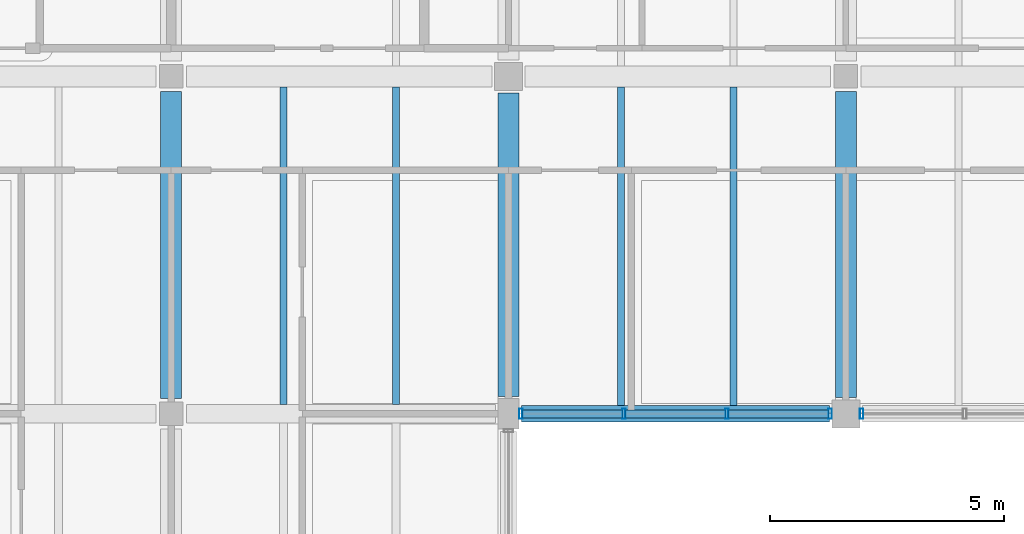
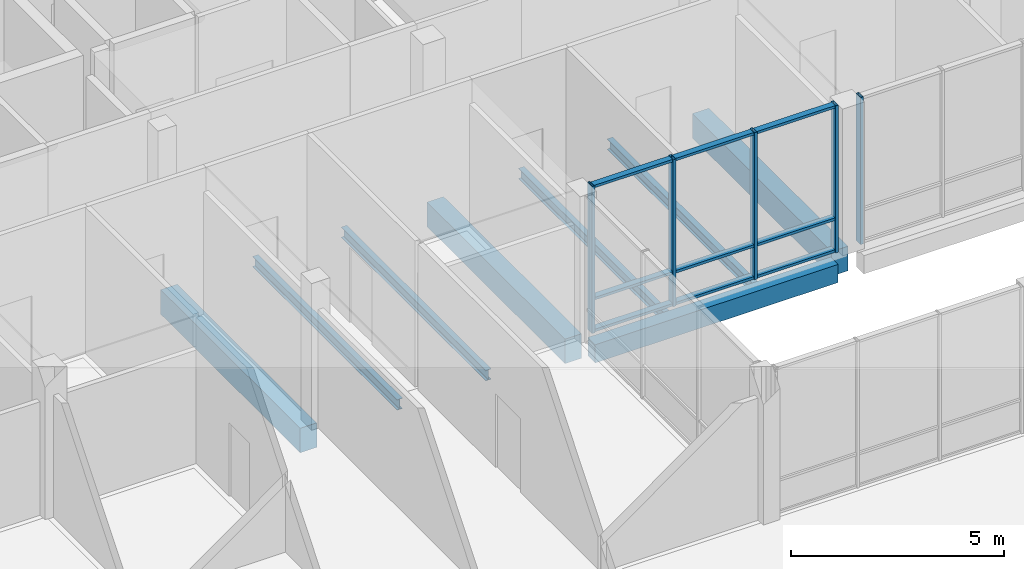
# One storey, part 32 of 104: 14 members, 8 beams, 2 elements without a shape of their own.
"""IFC4 building model written with IfcOpenShell, lengths in metres."""

from ifc_helpers import new_model, si_unit, direction, frame, origin, origin_2d, place, context, subcontext, project, spatial, rectangle, hollow_rectangle, i_section, extrude, material, material_profile, profile_set, type_object, element, aggregate, save


model = new_model("IFC4")

# Units and contexts
model_context = context("Model", 3, precision=1e-05, world=origin(), true_north=direction((0.0, 1.0)))
body_context = subcontext(model_context, "Body", "Model", "MODEL_VIEW")
ifc_project = project(units=[si_unit("LENGTHUNIT", "METRE"), si_unit("AREAUNIT", "SQUARE_METRE"), si_unit("VOLUMEUNIT", "CUBIC_METRE"), si_unit("PLANEANGLEUNIT", "RADIAN"), si_unit("MASSUNIT", "GRAM", prefix="KILO")], contexts=[model_context])

# Site, building, storey
site_placement = place(None, origin())
site = spatial("IfcSite", under=ifc_project, at=site_placement, CompositionType="ELEMENT")
building_placement = place(site_placement, origin())
building = spatial("IfcBuilding", under=site, at=building_placement, Name="Hawrajan Terrace Health Centre", CompositionType="ELEMENT")
storey_placement = place(building_placement, origin())
storey = spatial("IfcBuildingStorey", under=building, at=storey_placement, Name="L00", CompositionType="ELEMENT", Elevation=0.0)

# Curtain wall, members
ifc_material_1 = material(Name="Anodized bronze aluminium and low-E solar glazing", Category="aluminium")
curtain_wall_type_1 = type_object("IfcCurtainWallType", Name="CW_CourtNS_SeriesC2", PredefinedType="USERDEFINED", material=ifc_material_1)
curtain_wall_1_placement = place(storey_placement, origin())
curtain_wall_1 = element("IfcCurtainWall", 1, at=curtain_wall_1_placement, inside=storey, type_object=curtain_wall_type_1, Name="Curtain wall CW-L00-008", ObjectType="UNITISED CURTAIN WALL", PredefinedType="USERDEFINED")
ifc_material_2 = material(Name="Anodized bronze aluminium 6063-T6", Category="aluminium")
ifc_material_profile_1 = material_profile(ifc_material_2, hollow_rectangle(XDim=0.074951171875, YDim=0.219970703125, WallThickness=0.0048828125, at=origin_2d()), Name="CW MUL 75x220")
ifc_profile_set_1 = profile_set([ifc_material_profile_1], Name="Anodized bronze aluminium 6063-T6")
member_type_1 = type_object("IfcMemberType", Name="CWMullion_75x220", PredefinedType="MULLION", material=ifc_profile_set_1)
member_1_placement = place(storey_placement, frame((26.46240234375, 45.39990234375, -0.0048828125), z_axis=(0.0, 0.0, 1.0), x_axis=(1.0, 0.0, 0.0)))
member_1 = element("IfcMember", 2, at=member_1_placement, type_object=member_type_1, Name="Mullion CW-L00-008-M1", PredefinedType="MULLION", context=body_context, shape_type="SweptSolid", body=[
    extrude(hollow_rectangle(XDim=0.074951171875, YDim=0.219970703125, WallThickness=0.0048828125, at=origin_2d()), origin(), (0.0, 0.0, 1.0), 4.2099609375),
])
member_2_placement = place(storey_placement, frame((28.66259765625, 45.39990234375, -0.0048828125), z_axis=(0.0, 0.0, 1.0), x_axis=(1.0, 0.0, 0.0)))
member_2 = element("IfcMember", 3, at=member_2_placement, type_object=member_type_1, Name="Mullion CW-L00-008-M2", PredefinedType="MULLION", context=body_context, shape_type="SweptSolid", body=[
    extrude(hollow_rectangle(XDim=0.074951171875, YDim=0.219970703125, WallThickness=0.0048828125, at=origin_2d()), origin(), (0.0, 0.0, 1.0), 4.2099609375),
])
member_3_placement = place(storey_placement, frame((30.862548828125, 45.39990234375, -0.0048828125), z_axis=(0.0, 0.0, 1.0), x_axis=(1.0, 0.0, 0.0)))
member_3 = element("IfcMember", 4, at=member_3_placement, type_object=member_type_1, Name="Mullion CW-L00-008-M3", PredefinedType="MULLION", context=body_context, shape_type="SweptSolid", body=[
    extrude(hollow_rectangle(XDim=0.074951171875, YDim=0.219970703125, WallThickness=0.0048828125, at=origin_2d()), origin(), (0.0, 0.0, 1.0), 4.2099609375),
])
member_4_placement = place(storey_placement, frame((33.0625, 45.39990234375, -0.0048828125), z_axis=(0.0, 0.0, 1.0), x_axis=(1.0, 0.0, 0.0)))
member_4 = element("IfcMember", 5, at=member_4_placement, type_object=member_type_1, Name="Mullion CW-L00-008-M4", PredefinedType="MULLION", context=body_context, shape_type="SweptSolid", body=[
    extrude(hollow_rectangle(XDim=0.074951171875, YDim=0.219970703125, WallThickness=0.0048828125, at=origin_2d()), origin(), (0.0, 0.0, 1.0), 4.2099609375),
])

# Curtain wall, member
curtain_wall_type_2 = type_object("IfcCurtainWallType", Name="CW_Garden_SeriesF1", PredefinedType="USERDEFINED", material=ifc_material_1)
curtain_wall_2_placement = place(storey_placement, origin())
curtain_wall_2 = element("IfcCurtainWall", 6, at=curtain_wall_2_placement, inside=storey, type_object=curtain_wall_type_2, Name="Curtain wall CW-L00-014", ObjectType="UNITISED CURTAIN WALL", PredefinedType="USERDEFINED")
member_5_placement = place(storey_placement, frame((33.737548828125, 45.39990234375, -0.0048828125), z_axis=(0.0, 0.0, 1.0), x_axis=(1.0, 0.0, 0.0)))
member_5 = element("IfcMember", 7, at=member_5_placement, type_object=member_type_1, Name="Mullion CW-L00-014-M1", PredefinedType="MULLION", context=body_context, shape_type="SweptSolid", body=[
    extrude(hollow_rectangle(XDim=0.074951171875, YDim=0.219970703125, WallThickness=0.0048828125, at=origin_2d()), origin(), (0.0, 0.0, 1.0), 4.2099609375),
])
aggregate(curtain_wall_2, [member_5])

# Member
ifc_material_profile_2 = material_profile(ifc_material_2, hollow_rectangle(XDim=0.074951171875, YDim=0.169921875, WallThickness=0.00439453125, at=origin_2d()), Name="CW TRN 75x170")
ifc_profile_set_2 = profile_set([ifc_material_profile_2], Name="Anodized bronze aluminium 6063-T6")
member_type_2 = type_object("IfcMemberType", Name="CWTransom_75x170", PredefinedType="USERDEFINED", material=ifc_profile_set_2)
member_6_placement = place(storey_placement, frame((26.493896484375, 45.39990234375, 0.03759765625), z_axis=(1.0, 0.0, 0.0), x_axis=(0.0, 0.0, 1.0)))
member_6 = element("IfcMember", 8, at=member_6_placement, type_object=member_type_2, Name="Transom CW-L00-008-T1-1", ObjectType="TRANSOM", PredefinedType="USERDEFINED", context=body_context, shape_type="SweptSolid", body=[
    extrude(hollow_rectangle(XDim=0.074951171875, YDim=0.169921875, WallThickness=0.00439453125, at=origin_2d()), origin(), (0.0, 0.0, 1.0), 2.13720703125),
])

member_7_placement = place(storey_placement, frame((26.493896484375, 45.39990234375, 0.949951171875), z_axis=(1.0, 0.0, 0.0), x_axis=(0.0, 0.0, 1.0)))
member_7 = element("IfcMember", 9, at=member_7_placement, type_object=member_type_2, Name="Transom CW-L00-008-T1-2", ObjectType="TRANSOM", PredefinedType="USERDEFINED", context=body_context, shape_type="SweptSolid", body=[
    extrude(hollow_rectangle(XDim=0.074951171875, YDim=0.169921875, WallThickness=0.00439453125, at=origin_2d()), origin(), (0.0, 0.0, 1.0), 2.13720703125),
])

member_8_placement = place(storey_placement, frame((26.493896484375, 45.39990234375, 4.16259765625), z_axis=(1.0, 0.0, 0.0), x_axis=(0.0, 0.0, 1.0)))
member_8 = element("IfcMember", 10, at=member_8_placement, type_object=member_type_2, Name="Transom CW-L00-008-T1-3", ObjectType="TRANSOM", PredefinedType="USERDEFINED", context=body_context, shape_type="SweptSolid", body=[
    extrude(hollow_rectangle(XDim=0.074951171875, YDim=0.169921875, WallThickness=0.00439453125, at=origin_2d()), origin(), (0.0, 0.0, 1.0), 2.13720703125),
])

member_9_placement = place(storey_placement, frame((28.694091796875, 45.39990234375, 0.03759765625), z_axis=(1.0, 0.0, 0.0), x_axis=(0.0, 0.0, 1.0)))
member_9 = element("IfcMember", 11, at=member_9_placement, type_object=member_type_2, Name="Transom CW-L00-008-T2-1", ObjectType="TRANSOM", PredefinedType="USERDEFINED", context=body_context, shape_type="SweptSolid", body=[
    extrude(hollow_rectangle(XDim=0.074951171875, YDim=0.169921875, WallThickness=0.00439453125, at=origin_2d()), origin(), (0.0, 0.0, 1.0), 2.136962890625),
])

member_10_placement = place(storey_placement, frame((28.694091796875, 45.39990234375, 0.949951171875), z_axis=(1.0, 0.0, 0.0), x_axis=(0.0, 0.0, 1.0)))
member_10 = element("IfcMember", 12, at=member_10_placement, type_object=member_type_2, Name="Transom CW-L00-008-T2-2", ObjectType="TRANSOM", PredefinedType="USERDEFINED", context=body_context, shape_type="SweptSolid", body=[
    extrude(hollow_rectangle(XDim=0.074951171875, YDim=0.169921875, WallThickness=0.00439453125, at=origin_2d()), origin(), (0.0, 0.0, 1.0), 2.136962890625),
])

member_11_placement = place(storey_placement, frame((28.694091796875, 45.39990234375, 4.16259765625), z_axis=(1.0, 0.0, 0.0), x_axis=(0.0, 0.0, 1.0)))
member_11 = element("IfcMember", 13, at=member_11_placement, type_object=member_type_2, Name="Transom CW-L00-008-T2-3", ObjectType="TRANSOM", PredefinedType="USERDEFINED", context=body_context, shape_type="SweptSolid", body=[
    extrude(hollow_rectangle(XDim=0.074951171875, YDim=0.169921875, WallThickness=0.00439453125, at=origin_2d()), origin(), (0.0, 0.0, 1.0), 2.136962890625),
])

member_12_placement = place(storey_placement, frame((30.89404296875, 45.39990234375, 0.03759765625), z_axis=(1.0, 0.0, 0.0), x_axis=(0.0, 0.0, 1.0)))
member_12 = element("IfcMember", 14, at=member_12_placement, type_object=member_type_2, Name="Transom CW-L00-008-T3-1", ObjectType="TRANSOM", PredefinedType="USERDEFINED", context=body_context, shape_type="SweptSolid", body=[
    extrude(hollow_rectangle(XDim=0.074951171875, YDim=0.169921875, WallThickness=0.00439453125, at=origin_2d()), origin(), (0.0, 0.0, 1.0), 2.136962890625),
])

member_13_placement = place(storey_placement, frame((30.89404296875, 45.39990234375, 0.949951171875), z_axis=(1.0, 0.0, 0.0), x_axis=(0.0, 0.0, 1.0)))
member_13 = element("IfcMember", 15, at=member_13_placement, type_object=member_type_2, Name="Transom CW-L00-008-T3-2", ObjectType="TRANSOM", PredefinedType="USERDEFINED", context=body_context, shape_type="SweptSolid", body=[
    extrude(hollow_rectangle(XDim=0.074951171875, YDim=0.169921875, WallThickness=0.00439453125, at=origin_2d()), origin(), (0.0, 0.0, 1.0), 2.136962890625),
])

member_14_placement = place(storey_placement, frame((30.89404296875, 45.39990234375, 4.16259765625), z_axis=(1.0, 0.0, 0.0), x_axis=(0.0, 0.0, 1.0)))
member_14 = element("IfcMember", 16, at=member_14_placement, type_object=member_type_2, Name="Transom CW-L00-008-T3-3", ObjectType="TRANSOM", PredefinedType="USERDEFINED", context=body_context, shape_type="SweptSolid", body=[
    extrude(hollow_rectangle(XDim=0.074951171875, YDim=0.169921875, WallThickness=0.00439453125, at=origin_2d()), origin(), (0.0, 0.0, 1.0), 2.136962890625),
])

aggregate(curtain_wall_1, [member_1, member_2, member_3, member_4, member_6, member_7, member_8, member_9, member_10, member_11, member_12, member_13, member_14])

# Beams
ifc_material_3 = material(Name="Concrete C40/50", Category="concrete")
ifc_material_profile_3 = material_profile(ifc_material_3, rectangle(XDim=0.449951171875, YDim=0.699951171875, at=origin_2d()), Name="RC BM 450x700")
ifc_profile_set_3 = profile_set([ifc_material_profile_3], Name="Concrete C40/50")
beam_type_1 = type_object("IfcBeamType", Name="RCGirder_450x700", PredefinedType="BEAM", material=ifc_profile_set_3)
beam_1_placement = place(storey_placement, frame((19.0, 45.72509765625, -0.64990234375), z_axis=(0.0, 1.0, 0.0), x_axis=(-1.0, 0.0, 0.0)))
element("IfcBeam", 17, at=beam_1_placement, inside=storey, type_object=beam_type_1, Name="Beam BM-Y-L00-W-X03-6", PredefinedType="BEAM", context=body_context, shape_type="SweptSolid", body=[
    extrude(rectangle(XDim=0.449951171875, YDim=0.699951171875, at=origin_2d()), origin(), (0.0, 0.0, 1.0), 6.5498046875),
])
beam_2_placement = place(storey_placement, frame((26.199951171875, 45.77490234375, -0.64990234375), z_axis=(0.0, 1.0, 0.0), x_axis=(-1.0, 0.0, 0.0)))
element("IfcBeam", 18, at=beam_2_placement, inside=storey, type_object=beam_type_1, Name="Beam BM-Y-L00-W-X04-6", PredefinedType="BEAM", context=body_context, shape_type="SweptSolid", body=[
    extrude(rectangle(XDim=0.449951171875, YDim=0.699951171875, at=origin_2d()), origin(), (0.0, 0.0, 1.0), 6.47509765625),
])
beam_3_placement = place(storey_placement, frame((33.39990234375, 45.75, -0.64990234375), z_axis=(0.0, 1.0, 0.0), x_axis=(-1.0, 0.0, 0.0)))
element("IfcBeam", 19, at=beam_3_placement, inside=storey, type_object=beam_type_1, Name="Beam BM-Y-L00-W-X05-6", PredefinedType="BEAM", context=body_context, shape_type="SweptSolid", body=[
    extrude(rectangle(XDim=0.449951171875, YDim=0.699951171875, at=origin_2d()), origin(), (0.0, 0.0, 1.0), 6.52490234375),
])
ifc_material_profile_4 = material_profile(ifc_material_3, rectangle(XDim=0.35009765625, YDim=0.52001953125, at=origin_2d()), Name="RC SP 350x520")
ifc_profile_set_4 = profile_set([ifc_material_profile_4], Name="Concrete C40/50")
beam_type_2 = type_object("IfcBeamType", Name="RCSpandrel_350x520", PredefinedType="SPANDREL", material=ifc_profile_set_4)
beam_4_placement = place(storey_placement, frame((26.47509765625, 45.39990234375, -0.56005859375), z_axis=(1.0, 0.0, 0.0), x_axis=(0.0, 1.0, 0.0)))
element("IfcBeam", 20, at=beam_4_placement, inside=storey, type_object=beam_type_2, Name="Beam BM-X-L00-W-04-Y6", PredefinedType="SPANDREL", context=body_context, shape_type="SweptSolid", body=[
    extrude(rectangle(XDim=0.35009765625, YDim=0.52001953125, at=origin_2d()), origin(), (0.0, 0.0, 1.0), 6.574951171875),
])
ifc_material_4 = material(Name="Steel S355", Category="steel")
ifc_material_profile_5 = material_profile(ifc_material_4, i_section(OverallWidth=0.14990234375, OverallDepth=0.300048828125, WebThickness=0.007080078125, FlangeThickness=0.0107421875, FilletRadius=0.014892578125, at=origin_2d()), Name="IPE 300")
ifc_profile_set_5 = profile_set([ifc_material_profile_5], Name="Steel S355")
beam_type_3 = type_object("IfcBeamType", Name="SteelBeam_IPE300", PredefinedType="JOIST", material=ifc_profile_set_5)
for number, where, z_axis, x_axis, name in (
    (21, (21.39990234375, 45.60009765625, -0.449951171875), (0.0, 1.0, 0.0), (-1.0, 0.0, 0.0), "Secondary joist JST-L00-W-03-6-1"),
    (22, (23.800048828125, 45.60009765625, -0.449951171875), (0.0, 1.0, 0.0), (-1.0, 0.0, 0.0), "Secondary joist JST-L00-W-03-6-2"),
):
    element("IfcBeam", number, at=place(storey_placement, frame(where, z_axis=z_axis, x_axis=x_axis)), inside=storey, type_object=beam_type_3, Name=name, PredefinedType="JOIST", context=body_context, shape_type="SweptSolid", body=[
        extrude(i_section(OverallWidth=0.14990234375, OverallDepth=0.300048828125, WebThickness=0.007080078125, FlangeThickness=0.0107421875, FilletRadius=0.014892578125, at=origin_2d()), origin(), (0.0, 0.0, 1.0), 6.77490234375),
    ])
for number, where, z_axis, x_axis, name in (
    (23, (28.60009765625, 45.574951171875, -0.449951171875), (0.0, 1.0, 0.0), (-1.0, 0.0, 0.0), "Secondary joist JST-L00-W-04-6-1"),
    (24, (31.0, 45.574951171875, -0.449951171875), (0.0, 1.0, 0.0), (-1.0, 0.0, 0.0), "Secondary joist JST-L00-W-04-6-2"),
):
    element("IfcBeam", number, at=place(storey_placement, frame(where, z_axis=z_axis, x_axis=x_axis)), inside=storey, type_object=beam_type_3, Name=name, PredefinedType="JOIST", context=body_context, shape_type="SweptSolid", body=[
        extrude(i_section(OverallWidth=0.14990234375, OverallDepth=0.300048828125, WebThickness=0.007080078125, FlangeThickness=0.0107421875, FilletRadius=0.014892578125, at=origin_2d()), origin(), (0.0, 0.0, 1.0), 6.800048828125),
    ])

save(model, "model.ifc")
